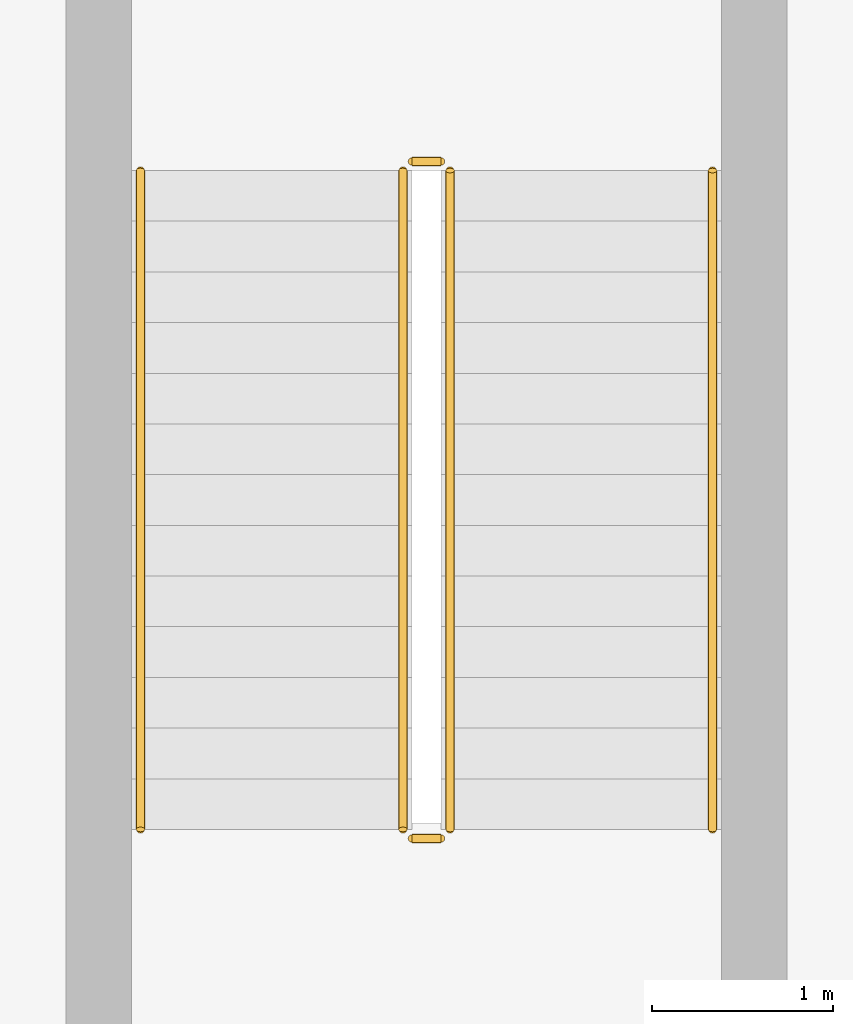
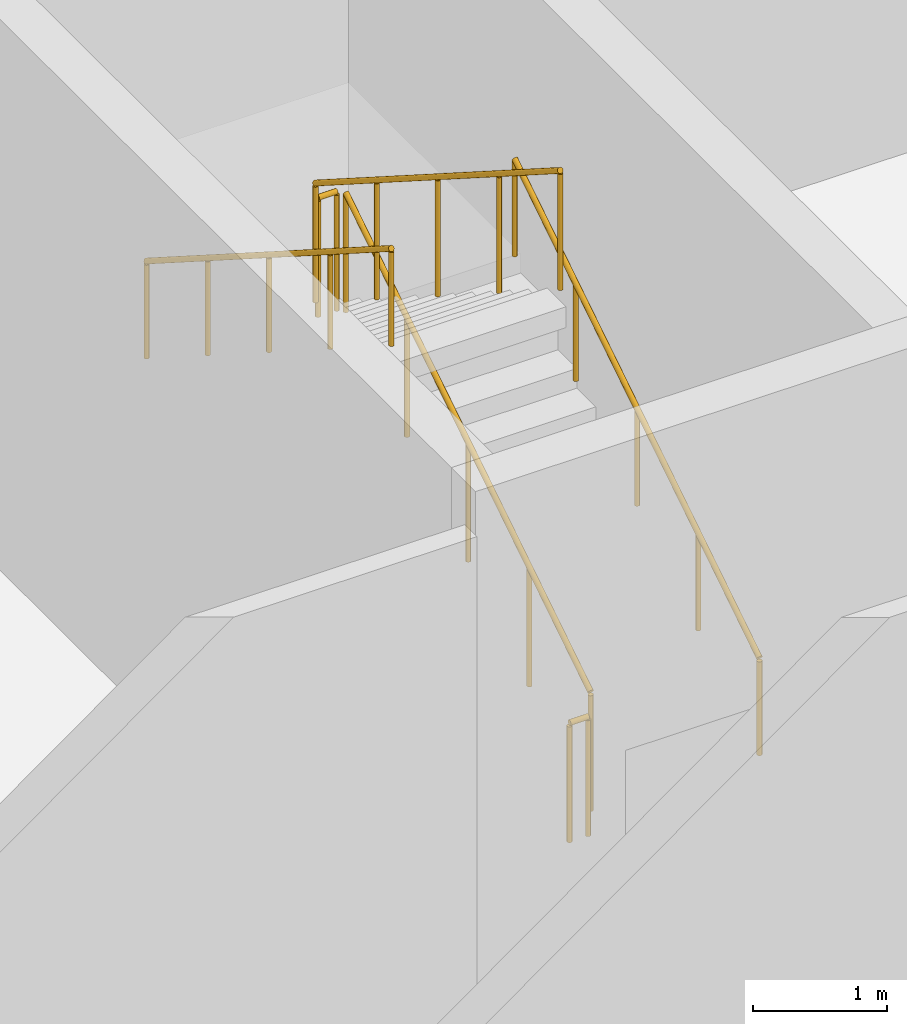
# One storey, part 12 of 17: 6 railings.
"""IFC4 building model written with IfcOpenShell, lengths in metres."""

from ifc_helpers import new_model, si_unit, direction, frame, origin, origin_2d, place, context, subcontext, project, spatial, circle, extrude, source, transform, mapped, material, type_object, element, save


model = new_model("IFC4")

# Units and contexts
model_context = context("Model", 3, precision=1e-05, world=origin(), true_north=direction((0.0, 1.0)))
body_context = subcontext(model_context, "Body", "Model", "MODEL_VIEW")
ifc_project = project(units=[si_unit("LENGTHUNIT", "METRE"), si_unit("AREAUNIT", "SQUARE_METRE"), si_unit("VOLUMEUNIT", "CUBIC_METRE"), si_unit("PLANEANGLEUNIT", "RADIAN"), si_unit("MASSUNIT", "GRAM", prefix="KILO"), si_unit("THERMODYNAMICTEMPERATUREUNIT", "KELVIN")], contexts=[model_context])

# Site, building, storey
site_placement = place(None, origin())
site = spatial("IfcSite", under=ifc_project, at=site_placement, CompositionType="ELEMENT")
building_placement = place(site_placement, origin())
building = spatial("IfcBuilding", under=site, at=building_placement, Name="Kosmvard Interchange Tower", CompositionType="ELEMENT")
storey_placement = place(building_placement, frame((0.0, 0.0, 6.0)))
storey = spatial("IfcBuildingStorey", under=building, at=storey_placement, Name="L01", CompositionType="ELEMENT", Elevation=6.0)

# Railings
ifc_material = material(Name="Steel S355", Category="steel")
railing_type_1 = type_object("IfcRailingType", Name="Stair & Terrace Safety Guardrail 1100 Steel", PredefinedType="GUARDRAIL", material=ifc_material)
shared_shape_1 = source(origin(), body_context, "Body", "SweptSolid", [
    extrude(circle(Radius=0.02392578125, at=origin_2d()), frame((0.0, 0.0, 1.076171875), z_axis=(0.0, 0.843111507901, 0.53773877045), x_axis=(-1.0, 0.0, 0.0)), (0.0, 0.0, 1.0), 4.317138671875),
    extrude(circle(Radius=0.02099609375, at=origin_2d()), origin(), (0.0, 0.0, 1.0), 1.052001953125),
    extrude(circle(Radius=0.02099609375, at=origin_2d()), frame((0.0, 0.909912109375, 0.580322265625)), (0.0, 0.0, 1.0), 1.052001953125),
    extrude(circle(Radius=0.02099609375, at=origin_2d()), frame((0.0, 1.81982421875, 1.16064453125)), (0.0, 0.0, 1.0), 1.052001953125),
    extrude(circle(Radius=0.02099609375, at=origin_2d()), frame((0.0, 2.72998046875, 1.7412109375)), (0.0, 0.0, 1.0), 1.052001953125),
    extrude(circle(Radius=0.02099609375, at=origin_2d()), frame((0.0, 3.639892578125, 2.321533203125)), (0.0, 0.0, 1.0), 1.052001953125),
])
railing_1_placement = place(storey_placement, frame((-20.820068359375, -3.0, 0.178466796875)))
element("IfcRailing", 1, at=railing_1_placement, inside=storey, type_object=railing_type_1, Name="L01 ST-3 stair guard 1", PredefinedType="GUARDRAIL", context=body_context, shape_type="MappedRepresentation", body=[
    mapped(shared_shape_1, transform((0.0, 0.0, 0.0), scale=1.0)),
])
shared_shape_2 = source(origin(), body_context, "Body", "SweptSolid", [
    extrude(circle(Radius=0.02392578125, at=origin_2d()), frame((0.0, 0.0, 1.076171875), z_axis=(0.0, -0.843111507901, 0.53773877045), x_axis=(1.0, 0.0, 0.0)), (0.0, 0.0, 1.0), 4.317138671875),
    extrude(circle(Radius=0.02099609375, at=origin_2d()), origin(), (0.0, 0.0, 1.0), 1.052001953125),
    extrude(circle(Radius=0.02099609375, at=origin_2d()), frame((0.0, -0.909912109375, 0.580322265625)), (0.0, 0.0, 1.0), 1.052001953125),
    extrude(circle(Radius=0.02099609375, at=origin_2d()), frame((0.0, -1.81982421875, 1.16064453125)), (0.0, 0.0, 1.0), 1.052001953125),
    extrude(circle(Radius=0.02099609375, at=origin_2d()), frame((0.0, -2.72998046875, 1.7412109375)), (0.0, 0.0, 1.0), 1.052001953125),
    extrude(circle(Radius=0.02099609375, at=origin_2d()), frame((0.0, -3.639892578125, 2.321533203125)), (0.0, 0.0, 1.0), 1.052001953125),
])
railing_2_placement = place(storey_placement, frame((-21.080078125, 0.639892578125, 2.678466796875)))
element("IfcRailing", 2, at=railing_2_placement, inside=storey, type_object=railing_type_1, Name="L01 ST-3 stair guard 3", PredefinedType="GUARDRAIL", context=body_context, shape_type="MappedRepresentation", body=[
    mapped(shared_shape_2, transform((0.0, 0.0, 0.0), scale=1.0)),
])
railing_type_2 = type_object("IfcRailingType", Name="Wall-Mounted Stair Handrail 900 Steel", PredefinedType="HANDRAIL", material=ifc_material)
shared_shape_3 = source(origin(), body_context, "Body", "SweptSolid", [
    extrude(circle(Radius=0.02392578125, at=origin_2d()), frame((0.0, 0.0, 0.8759765625), z_axis=(0.0, 0.843111507901, 0.53773877045), x_axis=(-1.0, 0.0, 0.0)), (0.0, 0.0, 1.0), 4.317138671875),
    extrude(circle(Radius=0.02099609375, at=origin_2d()), origin(), (0.0, 0.0, 1.0), 0.851806640625),
    extrude(circle(Radius=0.02099609375, at=origin_2d()), frame((0.0, 0.909912109375, 0.580322265625)), (0.0, 0.0, 1.0), 0.851806640625),
    extrude(circle(Radius=0.02099609375, at=origin_2d()), frame((0.0, 1.81982421875, 1.16064453125)), (0.0, 0.0, 1.0), 0.851806640625),
    extrude(circle(Radius=0.02099609375, at=origin_2d()), frame((0.0, 2.72998046875, 1.7412109375)), (0.0, 0.0, 1.0), 0.851806640625),
    extrude(circle(Radius=0.02099609375, at=origin_2d()), frame((0.0, 3.639892578125, 2.321533203125)), (0.0, 0.0, 1.0), 0.851806640625),
])
railing_3_placement = place(storey_placement, frame((-19.3701171875, -3.0, 0.178466796875)))
element("IfcRailing", 3, at=railing_3_placement, inside=storey, type_object=railing_type_2, Name="L01 ST-3 stair handrail 1", PredefinedType="HANDRAIL", context=body_context, shape_type="MappedRepresentation", body=[
    mapped(shared_shape_3, transform((0.0, 0.0, 0.0), scale=1.0)),
])
shared_shape_4 = source(origin(), body_context, "Body", "SweptSolid", [
    extrude(circle(Radius=0.02392578125, at=origin_2d()), frame((0.0, 0.0, 0.8759765625), z_axis=(0.0, -0.843111507901, 0.53773877045), x_axis=(1.0, 0.0, 0.0)), (0.0, 0.0, 1.0), 4.317138671875),
    extrude(circle(Radius=0.02099609375, at=origin_2d()), origin(), (0.0, 0.0, 1.0), 0.851806640625),
    extrude(circle(Radius=0.02099609375, at=origin_2d()), frame((0.0, -0.909912109375, 0.580322265625)), (0.0, 0.0, 1.0), 0.851806640625),
    extrude(circle(Radius=0.02099609375, at=origin_2d()), frame((0.0, -1.81982421875, 1.16064453125)), (0.0, 0.0, 1.0), 0.851806640625),
    extrude(circle(Radius=0.02099609375, at=origin_2d()), frame((0.0, -2.72998046875, 1.7412109375)), (0.0, 0.0, 1.0), 0.851806640625),
    extrude(circle(Radius=0.02099609375, at=origin_2d()), frame((0.0, -3.639892578125, 2.321533203125)), (0.0, 0.0, 1.0), 0.851806640625),
])
railing_4_placement = place(storey_placement, frame((-22.530029296875, 0.639892578125, 2.678466796875)))
element("IfcRailing", 4, at=railing_4_placement, inside=storey, type_object=railing_type_2, Name="L01 ST-3 stair handrail 2", PredefinedType="HANDRAIL", context=body_context, shape_type="MappedRepresentation", body=[
    mapped(shared_shape_4, transform((0.0, 0.0, 0.0), scale=1.0)),
])
shared_shape_5 = source(origin(), body_context, "Body", "SweptSolid", [
    extrude(circle(Radius=0.02392578125, at=origin_2d()), frame((0.0, 0.0, 1.076171875), z_axis=(-1.0, 0.0, 0.0), x_axis=(0.0, -1.0, 0.0)), (0.0, 0.0, 1.0), 0.159912109375),
    extrude(circle(Radius=0.02099609375, at=origin_2d()), origin(), (0.0, 0.0, 1.0), 1.052001953125),
    extrude(circle(Radius=0.02099609375, at=origin_2d()), frame((-0.159912109375, 0.0, 0.0)), (0.0, 0.0, 1.0), 1.052001953125),
])
for number, where, name in (
    (5, (-20.8701171875, 0.68994140625, 2.5), "L01 ST-3 stair guard 2"),
    (6, (-20.8701171875, -3.050048828125, 0.0), "L01 ST-3 stair guard 4"),
):
    element("IfcRailing", number, at=place(storey_placement, frame(where)), inside=storey, type_object=railing_type_1, Name=name, PredefinedType="GUARDRAIL", context=body_context, shape_type="MappedRepresentation", body=[
        mapped(shared_shape_5, transform((0.0, 0.0, 0.0), scale=1.0)),
    ])

save(model, "model.ifc")
